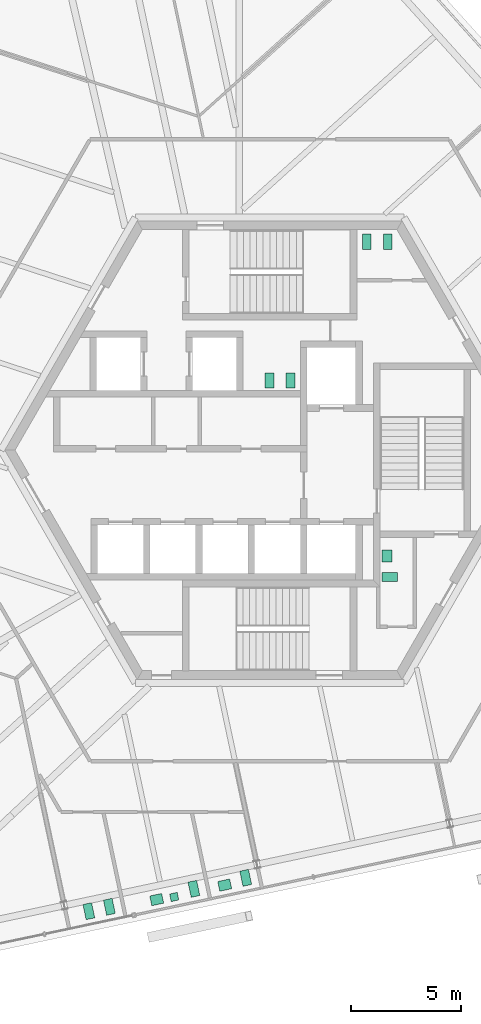
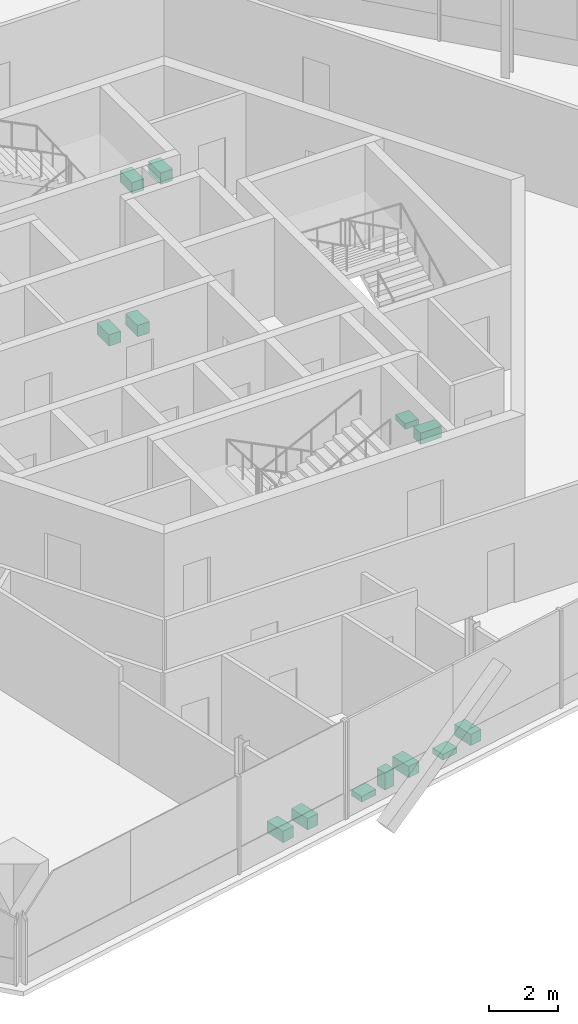
# One storey, part 15 of 15: 13 sanitary terminals.
"""IFC4 building model written with IfcOpenShell, lengths in metres."""

from ifc_helpers import new_model, si_unit, direction, frame, origin, origin_2d, place, context, subcontext, project, spatial, rectangle, extrude, source, transform, mapped, material, element, save


model = new_model("IFC4")

# Units and contexts
model_context = context("Model", 3, precision=1e-05, world=origin(), true_north=direction((0.0, 1.0)))
body_context = subcontext(model_context, "Body", "Model", "MODEL_VIEW")
ifc_project = project(units=[si_unit("LENGTHUNIT", "METRE"), si_unit("AREAUNIT", "SQUARE_METRE"), si_unit("VOLUMEUNIT", "CUBIC_METRE"), si_unit("PLANEANGLEUNIT", "RADIAN"), si_unit("MASSUNIT", "GRAM", prefix="KILO")], contexts=[model_context])

# Site, building, storey
site_placement = place(None, origin())
site = spatial("IfcSite", under=ifc_project, at=site_placement, CompositionType="ELEMENT")
building_placement = place(site_placement, origin())
building = spatial("IfcBuilding", under=site, at=building_placement, Name="Triune Harvest Tower", CompositionType="ELEMENT")
storey_placement = place(building_placement, frame((0.0, 0.0, 270.300048828125)))
storey = spatial("IfcBuildingStorey", under=building, at=storey_placement, Name="L71", CompositionType="ELEMENT", Elevation=270.300048828125)

# Sanitary terminals
ifc_material = material(Name="Vitreous china")
shared_shape_1 = source(origin(), body_context, "Body", "SweptSolid", [
    extrude(rectangle(XDim=0.39990234375, YDim=0.699951171875, at=origin_2d()), origin(), (0.0, 0.0, 1.0), 0.39990234375),
])
for number, where, z_axis, x_axis, name in (
    (1, (4.39990234375, 9.449951171875, 0.0), (0.0, 0.0, 1.0), (1.0, 0.0, 0.0), "Toilet pan L71.c01"),
    (2, (5.35009765625, 9.449951171875, 0.0), (0.0, 0.0, 1.0), (1.0, 0.0, 0.0), "Toilet pan L71.c02"),
    (3, (0.949951171875, 3.159912109375, 0.0), (0.0, 0.0, 1.0), (-1.0, 0.0, 0.0), "Toilet pan L71.c03"),
    (4, (0.0, 3.159912109375, 0.0), (0.0, 0.0, 1.0), (-1.0, 0.0, 0.0), "Toilet pan L71.c04"),
    (5, (5.449951171875, -5.739990234375, 0.0), (0.0, 0.0, 1.0), (0.0, 1.0, 0.0), "Toilet pan L71.c05"),
    (6, (-7.262451171875, -20.69189453125, 0.0), (0.0, 0.0, 1.0), (-0.978147600734, -0.207911690818, 0.0), "Toilet pan 01"),
    (7, (-8.19189453125, -20.8896484375, 0.0), (0.0, 0.0, 1.0), (-0.978147600734, -0.207911690818, 0.0), "Toilet pan 02"),
    (8, (-3.431396484375, -19.877685546875, 0.0), (0.0, 0.0, 1.0), (-0.978151229328, -0.20789461889, 0.0), "Toilet pan 03"),
    (9, (-1.083740234375, -19.378662109375, 0.0), (0.0, 0.0, 1.0), (-0.978154857625, -0.207877546899, 0.0), "Toilet pan 06"),
):
    element("IfcSanitaryTerminal", number, at=place(storey_placement, frame(where, z_axis=z_axis, x_axis=x_axis)), inside=storey, material=ifc_material, Name=name, PredefinedType="TOILETPAN", context=body_context, shape_type="MappedRepresentation", body=[
        mapped(shared_shape_1, transform((0.0, 0.0, 0.0), scale=1.0)),
    ])
shared_shape_2 = source(origin(), body_context, "Body", "SweptSolid", [
    extrude(rectangle(XDim=0.35009765625, YDim=0.35009765625, at=origin_2d()), origin(), (0.0, 0.0, 1.0), 0.60009765625),
])
sanitary_terminal_placement = place(storey_placement, frame((-4.32421875, -20.246337890625, 0.0), z_axis=(0.0, 0.0, 1.0), x_axis=(-0.978151229328, -0.20789461889, 0.0)))
element("IfcSanitaryTerminal", 10, at=sanitary_terminal_placement, inside=storey, material=ifc_material, Name="Urinal 04", PredefinedType="URINAL", context=body_context, shape_type="MappedRepresentation", body=[
    mapped(shared_shape_2, transform((0.0, 0.0, 0.0), scale=1.0)),
])
shared_shape_3 = source(origin(), body_context, "Body", "SweptSolid", [
    extrude(rectangle(XDim=0.550048828125, YDim=0.449951171875, at=origin_2d()), origin(), (0.0, 0.0, 1.0), 0.199951171875),
])
for number, where, z_axis, x_axis, name in (
    (11, (5.324951171875, -4.7900390625, 0.0), (0.0, 0.0, 1.0), (0.0, 1.0, 0.0), "Wash basin L71.c06"),
    (12, (-5.1171875, -20.36376953125, 0.0), (0.0, 0.0, 1.0), (-0.978151229328, -0.20789461889, 0.0), "Wash basin 05"),
    (13, (-2.035888671875, -19.708740234375, 0.0), (0.0, 0.0, 1.0), (-0.978154857625, -0.207877546899, 0.0), "Wash basin 07"),
):
    element("IfcSanitaryTerminal", number, at=place(storey_placement, frame(where, z_axis=z_axis, x_axis=x_axis)), inside=storey, material=ifc_material, Name=name, PredefinedType="WASHHANDBASIN", context=body_context, shape_type="MappedRepresentation", body=[
        mapped(shared_shape_3, transform((0.0, 0.0, 0.0), scale=1.0)),
    ])

save(model, "model.ifc")
